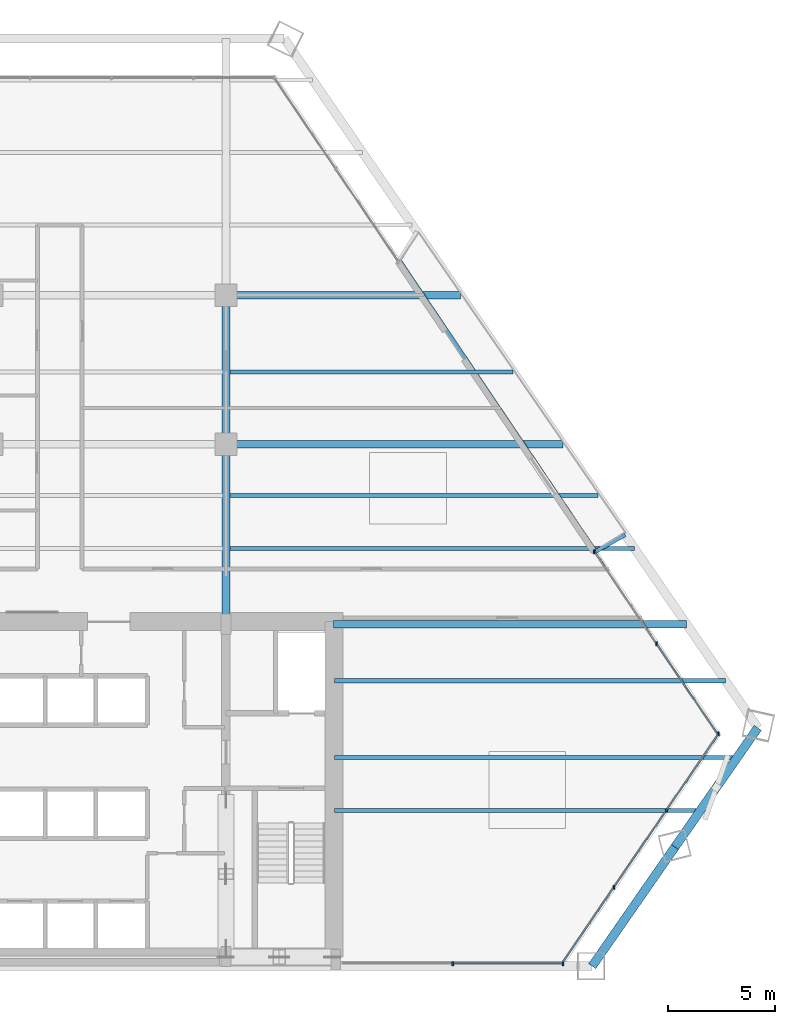
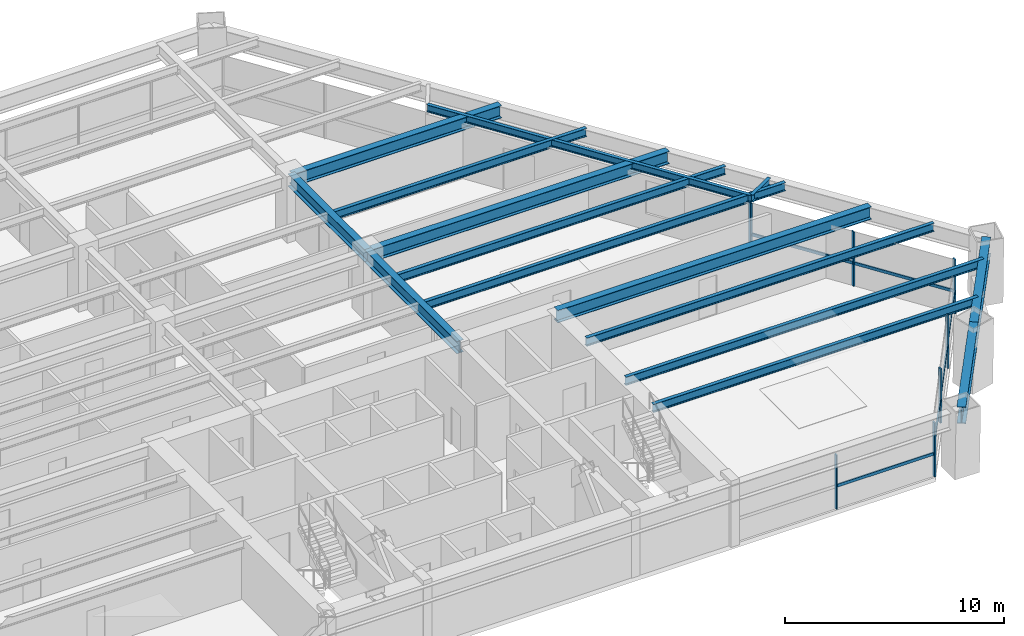
# One storey, part 6 of 14: 15 beams, 14 members, 3 elements without a shape of their own.
"""IFC4 building model written with IfcOpenShell, lengths in metres."""

import ifcopenshell
import ifcopenshell.guid

model = None  # the IFC model being written
_history = None  # IfcOwnerHistory: only IFC2X3 demands one
_inside = {}  # id of a spatial element -> (the spatial element, [elements in it])
_under = {}  # id of a project, library or spatial element -> (it, [spatial elements below it])
_declared = {}  # id of a project -> (the project, [libraries it declares])
_typed = {}  # id of a type object -> (the type object, [elements of that type])
_made_of = {}  # id of a material, layer set ... -> (it, [elements and type objects made of it])


def new_model(schema):
    """Start an empty IFC model of exactly this schema.

    Asked for "IFC4X3", IfcOpenShell would pick the latest addendum, in which some entities
    have other attributes; the version numbers below select the first issue.
    IFC2X3 requires an IfcOwnerHistory on every rooted entity: one is made here for all.
    """
    global model, _history
    if schema == "IFC4X3":
        model = ifcopenshell.file(schema_version=(4, 3, 0, 0))
    else:
        model = ifcopenshell.file(schema=schema)
    _inside.clear()
    _under.clear()
    _declared.clear()
    _typed.clear()
    _made_of.clear()
    _history = None
    if model.schema == "IFC2X3":
        org = make("IfcOrganization", Name="unknown")
        user = make(
            "IfcPersonAndOrganization",
            ThePerson=make("IfcPerson", FamilyName="unknown"),
            TheOrganization=org,
        )
        app = make(
            "IfcApplication",
            ApplicationDeveloper=org,
            Version="unknown",
            ApplicationFullName="unknown",
            ApplicationIdentifier="unknown",
        )
        _history = make(
            "IfcOwnerHistory",
            OwningUser=user,
            OwningApplication=app,
            ChangeAction="ADDED",
            CreationDate=0,
        )
    return model


def make(cls, **values):
    """One entity of the class cls with the attributes given. An attribute that is None is left unset."""
    return model.create_entity(
        cls, **{name: value for name, value in values.items() if value is not None}
    )


def rooted(cls, **values):
    """An entity with a GlobalId (a new one), such as an element, a storey or a relation."""
    return make(cls, GlobalId=ifcopenshell.guid.new(), OwnerHistory=_history, **values)


def si_unit(unit_type, name, prefix=None):
    """IfcSIUnit, for example si_unit("LENGTHUNIT", "METRE", prefix="MILLI")."""
    return make("IfcSIUnit", UnitType=unit_type, Prefix=prefix, Name=name)


def assignment(units):
    """IfcUnitAssignment: the units of a project."""
    return None if units is None else make("IfcUnitAssignment", Units=units)


def point(xyz):
    """IfcCartesianPoint."""
    return None if xyz is None else make("IfcCartesianPoint", Coordinates=xyz)


def direction(xyz):
    """IfcDirection."""
    return None if xyz is None else make("IfcDirection", DirectionRatios=xyz)


def frame(location, z_axis=None, x_axis=None):
    """IfcAxis2Placement3D, a coordinate frame: its origin and axes. An axis left out is left unset."""
    return make(
        "IfcAxis2Placement3D",
        Location=point(location),
        Axis=direction(z_axis),
        RefDirection=direction(x_axis),
    )


def frame_2d(location, x_axis=None):
    """IfcAxis2Placement2D, a coordinate frame in the plane: its origin and x axis."""
    return make(
        "IfcAxis2Placement2D", Location=point(location), RefDirection=direction(x_axis)
    )


def origin():
    """The frame at (0, 0, 0) with its axes left unset."""
    return frame((0.0, 0.0, 0.0))


def origin_2d():
    """The frame at (0, 0) in the plane with its x axis left unset."""
    return frame_2d((0.0, 0.0))


def place(relative_to, where):
    """IfcLocalPlacement: puts the frame where relative to a parent placement (None: the world)."""
    return make(
        "IfcLocalPlacement", PlacementRelTo=relative_to, RelativePlacement=where
    )


def context(
    kind, dimensions, precision=None, world=None, true_north=None, identifier=None
):
    """IfcGeometricRepresentationContext, for example the 3D "Model" context."""
    return make(
        "IfcGeometricRepresentationContext",
        ContextIdentifier=identifier,
        ContextType=kind,
        CoordinateSpaceDimension=dimensions,
        Precision=precision,
        WorldCoordinateSystem=world,
        TrueNorth=true_north,
    )


def subcontext(parent, identifier, kind, view, scale=None):
    """IfcGeometricRepresentationSubContext, for example "Body" below "Model"."""
    return make(
        "IfcGeometricRepresentationSubContext",
        ContextIdentifier=identifier,
        ContextType=kind,
        ParentContext=parent,
        TargetScale=scale,
        TargetView=view,
    )


def project(units=None, contexts=None):
    """IfcProject with its units and contexts."""
    return rooted(
        "IfcProject",
        Name="project",
        RepresentationContexts=contexts,
        UnitsInContext=assignment(units),
    )


def spatial(cls, under=None, at=None, **own):
    """A site, building, storey or space (cls), placed at a placement, below another one or the project."""
    s = rooted(cls, ObjectPlacement=at, **own)
    if under is not None:
        _under.setdefault(under.id(), (under, []))[1].append(s)
    return s


def profile(cls, at=None, kind="AREA", **sizes):
    """A parametric profile (cls). Its sizes go by their IFC names, for example OverallWidth=200.0."""
    return make(cls, ProfileType=kind, Position=at, **sizes)


def rectangle(**sizes):
    """IfcRectangleProfileDef."""
    return profile("IfcRectangleProfileDef", **sizes)


def i_section(**sizes):
    """IfcIShapeProfileDef."""
    return profile("IfcIShapeProfileDef", **sizes)


def extrude(swept, where, along, depth):
    """IfcExtrudedAreaSolid: the profile swept, set in the frame where, extruded along a direction by depth."""
    return make(
        "IfcExtrudedAreaSolid",
        SweptArea=swept,
        Position=where,
        ExtrudedDirection=direction(along),
        Depth=depth,
    )


def shape(context_of_items, identifier, shape_type, items):
    """IfcShapeRepresentation: the items that make up one representation, for example the "Body"."""
    return make(
        "IfcShapeRepresentation",
        ContextOfItems=context_of_items,
        RepresentationIdentifier=identifier,
        RepresentationType=shape_type,
        Items=items,
    )


def source(mapping_origin, context_of_items, identifier, shape_type, items):
    """IfcRepresentationMap: a shape defined once, which mapped items show again and again."""
    return make(
        "IfcRepresentationMap",
        MappingOrigin=mapping_origin,
        MappedRepresentation=shape(context_of_items, identifier, shape_type, items),
    )


def transform(
    local_origin,
    x_axis=None,
    y_axis=None,
    z_axis=None,
    scale=None,
    scale2=None,
    scale3=None,
    uniform=True,
):
    """IfcCartesianTransformationOperator3D, or its non-uniform kind. x_axis, y_axis, z_axis: its Axis1, 2, 3."""
    if uniform:
        return make(
            "IfcCartesianTransformationOperator3D",
            Axis1=direction(x_axis),
            Axis2=direction(y_axis),
            LocalOrigin=point(local_origin),
            Scale=scale,
            Axis3=direction(z_axis),
        )
    return make(
        "IfcCartesianTransformationOperator3DnonUniform",
        Axis1=direction(x_axis),
        Axis2=direction(y_axis),
        LocalOrigin=point(local_origin),
        Scale=scale,
        Axis3=direction(z_axis),
        Scale2=scale2,
        Scale3=scale3,
    )


def mapped(mapping_source, mapping_target):
    """IfcMappedItem: shows the shape of a source again, moved by a transform."""
    return make(
        "IfcMappedItem", MappingSource=mapping_source, MappingTarget=mapping_target
    )


def material(Name=None, Category=None):
    """IfcMaterial."""
    return make("IfcMaterial", Name=Name, Category=Category)


def material_profile(
    of_material, cross_section, Name=None, Category=None, Priority=None
):
    """IfcMaterialProfile: a cross section and its material."""
    return make(
        "IfcMaterialProfile",
        Name=Name,
        Material=of_material,
        Profile=cross_section,
        Priority=Priority,
        Category=Category,
    )


def profile_set(profiles, Name=None, composite=None):
    """IfcMaterialProfileSet."""
    return make(
        "IfcMaterialProfileSet",
        Name=Name,
        MaterialProfiles=profiles,
        CompositeProfile=composite,
    )


def made_of(thing, what):
    """Note that an element or type object is made of a material, layer set ...; save() writes the relation."""
    if what is not None:
        _made_of.setdefault(what.id(), (what, []))[1].append(thing)
    return thing


def type_object(cls, material=None, **own):
    """A type object (cls), such as IfcWallType, which elements share."""
    return made_of(rooted(cls, **own), material)


def type_shapes(of_type, sources):
    """Give a type object the sources (RepresentationMaps) that its elements show as mapped items."""
    of_type.RepresentationMaps = sources


def element(
    cls,
    number,
    at=None,
    inside=None,
    cuts=None,
    type_object=None,
    material=None,
    context=None,
    identifier="Body",
    shape_type=None,
    held_by="IfcProductDefinitionShape",
    body=None,
    shapes=None,
    **own,
):
    """One element of the class cls, such as IfcWall. Its Tag is "e" and its number.

    at: its placement. inside: the storey or other place that contains it. cuts: it is an
    opening in that element (IfcRelVoidsElement). A single representation is given by context,
    identifier, shape_type and body (its items); several are given by shapes. held_by: the class
    of the entity that holds the representations. save() writes the other relations.
    """
    e = rooted(cls, Tag="e%d" % number, ObjectPlacement=at, **own)
    if body is not None:
        shapes = [shape(context, identifier, shape_type, body)]
    if shapes is not None:
        e.Representation = make(held_by, Representations=shapes)
    if inside is not None:
        _inside.setdefault(inside.id(), (inside, []))[1].append(e)
    if cuts is not None:
        rooted(
            "IfcRelVoidsElement", RelatingBuildingElement=cuts, RelatedOpeningElement=e
        )
    if type_object is not None:
        _typed.setdefault(type_object.id(), (type_object, []))[1].append(e)
    return made_of(e, material)


def aggregate(whole, parts):
    """IfcRelAggregates: a whole, such as a stair, and the parts it consists of."""
    return rooted("IfcRelAggregates", RelatingObject=whole, RelatedObjects=parts)


def save(model, path):
    """Write the relations noted so far, then the file.

    IfcRelAggregates (storeys below a building ...), IfcRelContainedInSpatialStructure (elements
    in a storey), IfcRelDefinesByType, IfcRelAssociatesMaterial and IfcRelDeclares: one each for
    every whole, place, type object, material and project.
    """
    for whole, parts in _under.values():
        aggregate(whole, parts)
    for where, things in _inside.values():
        rooted(
            "IfcRelContainedInSpatialStructure",
            RelatedElements=things,
            RelatingStructure=where,
        )
    for kind, things in _typed.values():
        rooted("IfcRelDefinesByType", RelatedObjects=things, RelatingType=kind)
    for what, things in _made_of.values():
        rooted("IfcRelAssociatesMaterial", RelatedObjects=things, RelatingMaterial=what)
    for by, libraries in _declared.values():
        rooted("IfcRelDeclares", RelatingContext=by, RelatedDefinitions=libraries)
    model.write(path)


model = new_model("IFC4")

# Units and contexts
model_context = context("Model", 3, precision=1e-05, world=origin(), true_north=direction((0.0, 1.0)))
body_context = subcontext(model_context, "Body", "Model", "MODEL_VIEW")
ifc_project = project(units=[si_unit("LENGTHUNIT", "METRE"), si_unit("AREAUNIT", "SQUARE_METRE"), si_unit("VOLUMEUNIT", "CUBIC_METRE"), si_unit("PLANEANGLEUNIT", "RADIAN"), si_unit("MASSUNIT", "GRAM", prefix="KILO")], contexts=[model_context])

# Site, building, storey
site_placement = place(None, origin())
site = spatial("IfcSite", under=ifc_project, at=site_placement, CompositionType="ELEMENT")
building_placement = place(site_placement, origin())
building = spatial("IfcBuilding", under=site, at=building_placement, Name="Varnakhor Terracotta Tower", CompositionType="ELEMENT")
storey_placement = place(building_placement, frame((0.0, 0.0, 38.60009765625)))
storey = spatial("IfcBuildingStorey", under=building, at=storey_placement, Name="L08", CompositionType="ELEMENT", Elevation=38.60009765625)

# Beams
ifc_material_1 = material(Name="Steel S355", Category="steel")
ifc_material_profile_1 = material_profile(ifc_material_1, i_section(OverallWidth=0.35498046875, OverallDepth=0.695068359375, WebThickness=0.014892578125, FlangeThickness=0.02490234375, FilletRadius=0.01806640625, at=origin_2d()), Name="W27X146")
ifc_profile_set_1 = profile_set([ifc_material_profile_1], Name="Steel S355")
beam_type_1 = type_object("IfcBeamType", Name="BM-W27X146", PredefinedType="BEAM", material=ifc_profile_set_1)
shared_shape_1 = source(origin(), body_context, "Body", "SweptSolid", [
    extrude(i_section(OverallWidth=0.35498046875, OverallDepth=0.695068359375, WebThickness=0.014892578125, FlangeThickness=0.02490234375, FilletRadius=0.01806640625, at=origin_2d()), origin(), (0.0, 0.0, 1.0), 8.449951171875),
])
type_shapes(beam_type_1, [shared_shape_1])
beam_1_placement = place(storey_placement, frame((5.5, 16.050048828125, 3.102294921875), z_axis=(0.0, 1.0, 0.0), x_axis=(-1.0, 0.0, 0.0)))
element("IfcBeam", 1, at=beam_1_placement, inside=storey, type_object=beam_type_1, Name="L08 Primary Girder NS1-E", PredefinedType="BEAM", context=body_context, shape_type="MappedRepresentation", body=[
    mapped(shared_shape_1, transform((0.0, 0.0, 0.0), scale=1.0)),
])
shared_shape_2 = source(origin(), body_context, "Body", "SweptSolid", [
    extrude(i_section(OverallWidth=0.35498046875, OverallDepth=0.695068359375, WebThickness=0.014892578125, FlangeThickness=0.02490234375, FilletRadius=0.01806640625, at=origin_2d()), origin(), (0.0, 0.0, 1.0), 7.0),
])
beam_2_placement = place(storey_placement, frame((5.5, 24.5, 3.102294921875), z_axis=(0.0, 1.0, 0.0), x_axis=(-1.0, 0.0, 0.0)))
element("IfcBeam", 2, at=beam_2_placement, inside=storey, type_object=beam_type_1, Name="L08 Primary Girder NS2-E", PredefinedType="BEAM", context=body_context, shape_type="MappedRepresentation", body=[
    mapped(shared_shape_2, transform((0.0, 0.0, 0.0), scale=1.0)),
])
ifc_material_profile_2 = material_profile(ifc_material_1, i_section(OverallWidth=0.41796875, OverallDepth=0.927001953125, WebThickness=0.01904296875, FlangeThickness=0.031982421875, FilletRadius=0.01806640625, at=origin_2d()), Name="W36X231")
ifc_profile_set_2 = profile_set([ifc_material_profile_2], Name="Steel S355")
beam_type_2 = type_object("IfcBeamType", Name="BM-W36X231", PredefinedType="BEAM", material=ifc_profile_set_2)
shared_shape_3 = source(origin(), body_context, "Body", "SweptSolid", [
    extrude(i_section(OverallWidth=0.41796875, OverallDepth=0.927001953125, WebThickness=0.01904296875, FlangeThickness=0.031982421875, FilletRadius=0.01806640625, at=origin_2d()), origin(), (0.0, 0.0, 1.0), 6.81201171875),
])
for number, where, z_axis, x_axis, name in (
    (3, (22.69189453125, 0.0, 2.986328125), (0.570642278476, 0.821198751835, 0.0), (-0.821198751835, 0.570642278476, 0.0), "L08 Perimeter Spandrel 2"),
    (4, (26.5791015625, 5.593994140625, 2.986328125), (0.570642278476, 0.821198751835, 0.0), (-0.821198751835, 0.570642278476, 0.0), "L08 Perimeter Spandrel 3"),
):
    element("IfcBeam", number, at=place(storey_placement, frame(where, z_axis=z_axis, x_axis=x_axis)), inside=storey, type_object=beam_type_2, Name=name, PredefinedType="BEAM", context=body_context, shape_type="MappedRepresentation", body=[
        mapped(shared_shape_3, transform((0.0, 0.0, 0.0), scale=1.0)),
    ])
ifc_material_profile_3 = material_profile(ifc_material_1, i_section(OverallWidth=0.179931640625, OverallDepth=0.39990234375, WebThickness=0.008544921875, FlangeThickness=0.013427734375, FilletRadius=0.01806640625, at=origin_2d()), Name="IPE400")
ifc_profile_set_3 = profile_set([ifc_material_profile_3], Name="Steel S355")
beam_type_3 = type_object("IfcBeamType", Name="JST-IPE400", PredefinedType="JOIST", material=ifc_profile_set_3)
shared_shape_4 = source(origin(), body_context, "Body", "SweptSolid", [
    extrude(i_section(OverallWidth=0.179931640625, OverallDepth=0.39990234375, WebThickness=0.008544921875, FlangeThickness=0.013427734375, FilletRadius=0.01806640625, at=origin_2d()), origin(), (0.0, 0.0, 1.0), 16.4970703125),
])
beam_3_placement = place(storey_placement, frame((22.84814453125, 19.460205078125, 3.25), z_axis=(-0.558563601605, 0.829461694692, 0.0), x_axis=(-0.829461694692, -0.558563601605, 0.0)))
element("IfcBeam", 5, at=beam_3_placement, inside=storey, type_object=beam_type_3, Name="L08 Loggia Edge Beam 1", PredefinedType="JOIST", context=body_context, shape_type="MappedRepresentation", body=[
    mapped(shared_shape_4, transform((0.0, 0.0, 0.0), scale=1.0)),
])
shared_shape_5 = source(origin(), body_context, "Body", "SweptSolid", [
    extrude(i_section(OverallWidth=0.35498046875, OverallDepth=0.695068359375, WebThickness=0.014892578125, FlangeThickness=0.02490234375, FilletRadius=0.01806640625, at=origin_2d()), origin(), (0.0, 0.0, 1.0), 16.575927734375),
])
beam_4_placement = place(storey_placement, frame((10.550048828125, 16.050048828125, 3.102294921875), z_axis=(1.0, 0.0, 0.0), x_axis=(0.0, 1.0, 0.0)))
element("IfcBeam", 6, at=beam_4_placement, inside=storey, type_object=beam_type_1, Name="L08 Wing Girder E", PredefinedType="BEAM", context=body_context, shape_type="MappedRepresentation", body=[
    mapped(shared_shape_5, transform((0.0, 0.0, 0.0), scale=1.0)),
])
shared_shape_6 = source(origin(), body_context, "Body", "SweptSolid", [
    extrude(i_section(OverallWidth=0.35498046875, OverallDepth=0.695068359375, WebThickness=0.014892578125, FlangeThickness=0.02490234375, FilletRadius=0.01806640625, at=origin_2d()), origin(), (0.0, 0.0, 1.0), 15.820556640625),
])
beam_5_placement = place(storey_placement, frame((5.5, 24.5, 3.102294921875), z_axis=(1.0, 0.0, 0.0), x_axis=(0.0, 1.0, 0.0)))
element("IfcBeam", 7, at=beam_5_placement, inside=storey, type_object=beam_type_1, Name="L08 Primary Girder EW2-3", PredefinedType="BEAM", context=body_context, shape_type="MappedRepresentation", body=[
    mapped(shared_shape_6, transform((0.0, 0.0, 0.0), scale=1.0)),
])
shared_shape_7 = source(origin(), body_context, "Body", "SweptSolid", [
    extrude(i_section(OverallWidth=0.35498046875, OverallDepth=0.695068359375, WebThickness=0.014892578125, FlangeThickness=0.02490234375, FilletRadius=0.01806640625, at=origin_2d()), origin(), (0.0, 0.0, 1.0), 11.011474609375),
])
beam_6_placement = place(storey_placement, frame((5.5, 31.5, 3.102294921875), z_axis=(1.0, 0.0, 0.0), x_axis=(0.0, 1.0, 0.0)))
element("IfcBeam", 8, at=beam_6_placement, inside=storey, type_object=beam_type_1, Name="L08 Primary Girder EW3-3", PredefinedType="BEAM", context=body_context, shape_type="MappedRepresentation", body=[
    mapped(shared_shape_7, transform((0.0, 0.0, 0.0), scale=1.0)),
])
ifc_material_profile_4 = material_profile(ifc_material_1, i_section(OverallWidth=0.19189453125, OverallDepth=0.462890625, WebThickness=0.010498046875, FlangeThickness=0.017578125, FilletRadius=0.01806640625, at=origin_2d()), Name="W18X60")
ifc_profile_set_4 = profile_set([ifc_material_profile_4], Name="Steel S355")
beam_type_4 = type_object("IfcBeamType", Name="JST-W18X60", PredefinedType="JOIST", material=ifc_profile_set_4)
shared_shape_8 = source(origin(), body_context, "Body", "SweptSolid", [
    extrude(i_section(OverallWidth=0.19189453125, OverallDepth=0.462890625, WebThickness=0.010498046875, FlangeThickness=0.017578125, FilletRadius=0.01806640625, at=origin_2d()), origin(), (0.0, 0.0, 1.0), 17.16455078125),
])
beam_7_placement = place(storey_placement, frame((10.60009765625, 7.300048828125, 3.218505859375), z_axis=(1.0, 0.0, 0.0), x_axis=(0.0, 1.0, 0.0)))
element("IfcBeam", 9, at=beam_7_placement, inside=storey, type_object=beam_type_4, Name="L08 Floor Joist E1", PredefinedType="JOIST", context=body_context, shape_type="MappedRepresentation", body=[
    mapped(shared_shape_8, transform((0.0, 0.0, 0.0), scale=1.0)),
])
shared_shape_9 = source(origin(), body_context, "Body", "SweptSolid", [
    extrude(i_section(OverallWidth=0.19189453125, OverallDepth=0.462890625, WebThickness=0.010498046875, FlangeThickness=0.017578125, FilletRadius=0.01806640625, at=origin_2d()), origin(), (0.0, 0.0, 1.0), 18.901611328125),
])
beam_8_placement = place(storey_placement, frame((10.60009765625, 9.800048828125, 3.218505859375), z_axis=(1.0, 0.0, 0.0), x_axis=(0.0, 1.0, 0.0)))
element("IfcBeam", 10, at=beam_8_placement, inside=storey, type_object=beam_type_4, Name="L08 Floor Joist E2", PredefinedType="JOIST", context=body_context, shape_type="MappedRepresentation", body=[
    mapped(shared_shape_9, transform((0.0, 0.0, 0.0), scale=1.0)),
])
shared_shape_10 = source(origin(), body_context, "Body", "SweptSolid", [
    extrude(i_section(OverallWidth=0.19189453125, OverallDepth=0.462890625, WebThickness=0.010498046875, FlangeThickness=0.017578125, FilletRadius=0.01806640625, at=origin_2d()), origin(), (0.0, 0.0, 1.0), 18.346435546875),
])
beam_9_placement = place(storey_placement, frame((10.60009765625, 13.39990234375, 3.218505859375), z_axis=(1.0, 0.0, 0.0), x_axis=(0.0, 1.0, 0.0)))
element("IfcBeam", 11, at=beam_9_placement, inside=storey, type_object=beam_type_4, Name="L08 Floor Joist E3", PredefinedType="JOIST", context=body_context, shape_type="MappedRepresentation", body=[
    mapped(shared_shape_10, transform((0.0, 0.0, 0.0), scale=1.0)),
])
shared_shape_11 = source(origin(), body_context, "Body", "SweptSolid", [
    extrude(i_section(OverallWidth=0.19189453125, OverallDepth=0.462890625, WebThickness=0.010498046875, FlangeThickness=0.017578125, FilletRadius=0.01806640625, at=origin_2d()), origin(), (0.0, 0.0, 1.0), 19.013427734375),
])
beam_10_placement = place(storey_placement, frame((5.673583984375, 19.60009765625, 3.218505859375), z_axis=(1.0, 0.0, 0.0), x_axis=(0.0, 1.0, 0.0)))
element("IfcBeam", 12, at=beam_10_placement, inside=storey, type_object=beam_type_4, Name="L08 Composite Floor Joist 4-3", PredefinedType="JOIST", context=body_context, shape_type="MappedRepresentation", body=[
    mapped(shared_shape_11, transform((0.0, 0.0, 0.0), scale=1.0)),
])
shared_shape_12 = source(origin(), body_context, "Body", "SweptSolid", [
    extrude(i_section(OverallWidth=0.19189453125, OverallDepth=0.462890625, WebThickness=0.010498046875, FlangeThickness=0.017578125, FilletRadius=0.01806640625, at=origin_2d()), origin(), (0.0, 0.0, 1.0), 17.2958984375),
])
beam_11_placement = place(storey_placement, frame((5.673583984375, 22.10009765625, 3.218505859375), z_axis=(1.0, 0.0, 0.0), x_axis=(0.0, 1.0, 0.0)))
element("IfcBeam", 13, at=beam_11_placement, inside=storey, type_object=beam_type_4, Name="L08 Composite Floor Joist 5-3", PredefinedType="JOIST", context=body_context, shape_type="MappedRepresentation", body=[
    mapped(shared_shape_12, transform((0.0, 0.0, 0.0), scale=1.0)),
])
shared_shape_13 = source(origin(), body_context, "Body", "SweptSolid", [
    extrude(i_section(OverallWidth=0.19189453125, OverallDepth=0.462890625, WebThickness=0.010498046875, FlangeThickness=0.017578125, FilletRadius=0.01806640625, at=origin_2d()), origin(), (0.0, 0.0, 1.0), 13.31103515625),
])
beam_12_placement = place(storey_placement, frame((5.673583984375, 27.89990234375, 3.218505859375), z_axis=(1.0, 0.0, 0.0), x_axis=(0.0, 1.0, 0.0)))
element("IfcBeam", 14, at=beam_12_placement, inside=storey, type_object=beam_type_4, Name="L08 Composite Floor Joist 6-3", PredefinedType="JOIST", context=body_context, shape_type="MappedRepresentation", body=[
    mapped(shared_shape_13, transform((0.0, 0.0, 0.0), scale=1.0)),
])

# Curtain wall, members
ifc_material_2 = material(Name="Anodised Aluminium Curtain Wall System", Category="aluminium")
curtain_wall_type = type_object("IfcCurtainWallType", Name="CW-SYS-LOW-OFFICE", PredefinedType="NOTDEFINED", material=ifc_material_2)
curtain_wall_1_placement = place(storey_placement, origin())
curtain_wall_1 = element("IfcCurtainWall", 15, at=curtain_wall_1_placement, inside=storey, type_object=curtain_wall_type, Name="L08 E Facet Curtain Wall 2", PredefinedType="NOTDEFINED")
ifc_material_3 = material(Name="Anodised Aluminium 6063-T6", Category="aluminium")
ifc_material_profile_5 = material_profile(ifc_material_3, rectangle(XDim=0.074951171875, YDim=0.18505859375, at=origin_2d()), Name="ALU MULLION 75x185")
ifc_profile_set_5 = profile_set([ifc_material_profile_5], Name="Anodised Aluminium 6063-T6")
member_type_1 = type_object("IfcMemberType", Name="CWM-02", PredefinedType="MULLION", material=ifc_profile_set_5)
shared_shape_14 = source(origin(), body_context, "Body", "SweptSolid", [
    extrude(rectangle(XDim=0.074951171875, YDim=0.18505859375, at=origin_2d()), origin(), (0.0, 0.0, 1.0), 3.02978515625),
])
member_1_placement = place(storey_placement, frame((22.806884765625, 19.4462890625, 0.0), z_axis=(0.0, 0.0, 1.0), x_axis=(1.0, 0.0, 0.0)))
member_1 = element("IfcMember", 16, at=member_1_placement, type_object=member_type_1, Name="L08 E Facet Curtain Wall 2 Mullion 1", PredefinedType="MULLION", context=body_context, shape_type="MappedRepresentation", body=[
    mapped(shared_shape_14, transform((0.0, 0.0, 0.0), scale=1.0)),
])
member_2_placement = place(storey_placement, frame((25.71728515625, 15.13818359375, 0.0), z_axis=(0.0, 0.0, 1.0), x_axis=(1.0, 0.0, 0.0)))
member_2 = element("IfcMember", 17, at=member_2_placement, type_object=member_type_1, Name="L08 E Facet Curtain Wall 2 Mullion 2", PredefinedType="MULLION", context=body_context, shape_type="MappedRepresentation", body=[
    mapped(shared_shape_14, transform((0.0, 0.0, 0.0), scale=1.0)),
])
member_3_placement = place(storey_placement, frame((22.7734375, 19.4599609375, 0.0), z_axis=(0.0, 0.0, 1.0), x_axis=(1.0, 0.0, 0.0)))
member_3 = element("IfcMember", 18, at=member_3_placement, type_object=member_type_1, Name="L08 E Loggia Jamb Closure Mullion 2", PredefinedType="MULLION", context=body_context, shape_type="MappedRepresentation", body=[
    mapped(shared_shape_14, transform((0.0, 0.0, 0.0), scale=1.0)),
])

curtain_wall_2_placement = place(storey_placement, origin())
curtain_wall_2 = element("IfcCurtainWall", 19, at=curtain_wall_2_placement, inside=storey, type_object=curtain_wall_type, Name="L08 Facet Curtain Wall 4", PredefinedType="NOTDEFINED")
member_4_placement = place(storey_placement, frame((28.628173828125, 10.915283203125, 0.0), z_axis=(0.0, 0.0, 1.0), x_axis=(1.0, 0.0, 0.0)))
member_4 = element("IfcMember", 20, at=member_4_placement, type_object=member_type_1, Name="L08 Facet Curtain Wall 4 Mullion 1", PredefinedType="MULLION", context=body_context, shape_type="MappedRepresentation", body=[
    mapped(shared_shape_14, transform((0.0, 0.0, 0.0), scale=1.0)),
])
member_5_placement = place(storey_placement, frame((26.16845703125, 7.3076171875, 0.0), z_axis=(0.0, 0.0, 1.0), x_axis=(1.0, 0.0, 0.0)))
member_5 = element("IfcMember", 21, at=member_5_placement, type_object=member_type_1, Name="L08 Facet Curtain Wall 4 Mullion 2", PredefinedType="MULLION", context=body_context, shape_type="MappedRepresentation", body=[
    mapped(shared_shape_14, transform((0.0, 0.0, 0.0), scale=1.0)),
])
member_6_placement = place(storey_placement, frame((23.708984375, 3.699951171875, 0.0), z_axis=(0.0, 0.0, 1.0), x_axis=(1.0, 0.0, 0.0)))
member_6 = element("IfcMember", 22, at=member_6_placement, type_object=member_type_1, Name="L08 Facet Curtain Wall 4 Mullion 3", PredefinedType="MULLION", context=body_context, shape_type="MappedRepresentation", body=[
    mapped(shared_shape_14, transform((0.0, 0.0, 0.0), scale=1.0)),
])

curtain_wall_3_placement = place(storey_placement, origin())
curtain_wall_3 = element("IfcCurtainWall", 23, at=curtain_wall_3_placement, inside=storey, type_object=curtain_wall_type, Name="L08 South Wing Curtain Wall SSE", PredefinedType="NOTDEFINED")
member_7_placement = place(storey_placement, frame((21.321533203125, 0.1201171875, 0.0), z_axis=(0.0, 0.0, 1.0), x_axis=(1.0, 0.0, 0.0)))
member_7 = element("IfcMember", 24, at=member_7_placement, type_object=member_type_1, Name="L08 South Wing Curtain Wall SSE Mullion 1", PredefinedType="MULLION", context=body_context, shape_type="MappedRepresentation", body=[
    mapped(shared_shape_14, transform((0.0, 0.0, 0.0), scale=1.0)),
])
member_8_placement = place(storey_placement, frame((16.145751953125, 0.1201171875, 0.0), z_axis=(0.0, 0.0, 1.0), x_axis=(1.0, 0.0, 0.0)))
member_8 = element("IfcMember", 25, at=member_8_placement, type_object=member_type_1, Name="L08 South Wing Curtain Wall SSE Mullion 2", PredefinedType="MULLION", context=body_context, shape_type="MappedRepresentation", body=[
    mapped(shared_shape_14, transform((0.0, 0.0, 0.0), scale=1.0)),
])

# Member
ifc_material_profile_6 = material_profile(ifc_material_3, rectangle(XDim=0.074951171875, YDim=0.1650390625, at=origin_2d()), Name="ALU TRANSOM 75x165")
ifc_profile_set_6 = profile_set([ifc_material_profile_6], Name="Anodised Aluminium 6063-T6")
member_type_2 = type_object("IfcMemberType", Name="CWT-02", PredefinedType="USERDEFINED", material=ifc_profile_set_6)
shared_shape_15 = source(origin(), body_context, "Body", "SweptSolid", [
    extrude(rectangle(XDim=0.074951171875, YDim=0.1650390625, at=origin_2d()), origin(), (0.0, 0.0, 1.0), 5.19921875),
])
member_9_placement = place(storey_placement, frame((25.71728515625, 15.13818359375, 1.2724609375), z_axis=(0.55982604315, -0.828610162508, 0.0), x_axis=(0.828610162508, 0.55982604315, 0.0)))
member_9 = element("IfcMember", 26, at=member_9_placement, type_object=member_type_2, Name="L08 E Facet Curtain Wall 2 Transom 2", ObjectType="TRANSOM", PredefinedType="USERDEFINED", context=body_context, shape_type="MappedRepresentation", body=[
    mapped(shared_shape_15, transform((0.0, 0.0, 0.0), scale=1.0)),
])

shared_shape_16 = source(origin(), body_context, "Body", "SweptSolid", [
    extrude(rectangle(XDim=0.074951171875, YDim=0.1650390625, at=origin_2d()), origin(), (0.0, 0.0, 1.0), 5.198974609375),
])
member_10_placement = place(storey_placement, frame((22.806884765625, 19.4462890625, 1.2724609375), z_axis=(0.559793801176, -0.828631944934, 0.0), x_axis=(0.828631944934, 0.559793801176, 0.0)))
member_10 = element("IfcMember", 27, at=member_10_placement, type_object=member_type_2, Name="L08 E Facet Curtain Wall 2 Transom 1", ObjectType="TRANSOM", PredefinedType="USERDEFINED", context=body_context, shape_type="MappedRepresentation", body=[
    mapped(shared_shape_16, transform((0.0, 0.0, 0.0), scale=1.0)),
])

aggregate(curtain_wall_1, [member_1, member_10, member_2, member_9, member_3])

shared_shape_17 = source(origin(), body_context, "Body", "SweptSolid", [
    extrude(rectangle(XDim=0.074951171875, YDim=0.1650390625, at=origin_2d()), origin(), (0.0, 0.0, 1.0), 4.366455078125),
])
member_11_placement = place(storey_placement, frame((28.628173828125, 10.915283203125, 1.2724609375), z_axis=(-0.563328149743, -0.826233257444, 0.0), x_axis=(0.826233257444, -0.563328149743, 0.0)))
member_11 = element("IfcMember", 28, at=member_11_placement, type_object=member_type_2, Name="L08 Facet Curtain Wall 4 Transom 1", ObjectType="TRANSOM", PredefinedType="USERDEFINED", context=body_context, shape_type="MappedRepresentation", body=[
    mapped(shared_shape_17, transform((0.0, 0.0, 0.0), scale=1.0)),
])

member_12_placement = place(storey_placement, frame((23.708984375, 3.699951171875, 1.2724609375), z_axis=(-0.563328149743, -0.826233257444, 0.0), x_axis=(0.826233257444, -0.563328149743, 0.0)))
member_12 = element("IfcMember", 29, at=member_12_placement, type_object=member_type_2, Name="L08 Facet Curtain Wall 4 Transom 3", ObjectType="TRANSOM", PredefinedType="USERDEFINED", context=body_context, shape_type="MappedRepresentation", body=[
    mapped(shared_shape_17, transform((0.0, 0.0, 0.0), scale=1.0)),
])

shared_shape_18 = source(origin(), body_context, "Body", "SweptSolid", [
    extrude(rectangle(XDim=0.074951171875, YDim=0.1650390625, at=origin_2d()), origin(), (0.0, 0.0, 1.0), 4.3662109375),
])
member_13_placement = place(storey_placement, frame((26.16845703125, 7.3076171875, 1.2724609375), z_axis=(-0.563289977976, -0.82625928177, 0.0), x_axis=(0.82625928177, -0.563289977976, 0.0)))
member_13 = element("IfcMember", 30, at=member_13_placement, type_object=member_type_2, Name="L08 Facet Curtain Wall 4 Transom 2", ObjectType="TRANSOM", PredefinedType="USERDEFINED", context=body_context, shape_type="MappedRepresentation", body=[
    mapped(shared_shape_18, transform((0.0, 0.0, 0.0), scale=1.0)),
])

aggregate(curtain_wall_2, [member_4, member_11, member_5, member_13, member_6, member_12])

shared_shape_19 = source(origin(), body_context, "Body", "SweptSolid", [
    extrude(rectangle(XDim=0.074951171875, YDim=0.1650390625, at=origin_2d()), origin(), (0.0, 0.0, 1.0), 5.17578125),
])
member_14_placement = place(storey_placement, frame((21.321533203125, 0.1201171875, 1.2724609375), z_axis=(-1.0, 0.0, 0.0), x_axis=(0.0, -1.0, 0.0)))
member_14 = element("IfcMember", 31, at=member_14_placement, type_object=member_type_2, Name="L08 South Wing Curtain Wall SSE Transom 1", ObjectType="TRANSOM", PredefinedType="USERDEFINED", context=body_context, shape_type="MappedRepresentation", body=[
    mapped(shared_shape_19, transform((0.0, 0.0, 0.0), scale=1.0)),
])

aggregate(curtain_wall_3, [member_7, member_14, member_8])

# Beam
shared_shape_20 = source(origin(), body_context, "Body", "SweptSolid", [
    extrude(i_section(OverallWidth=0.179931640625, OverallDepth=0.39990234375, WebThickness=0.008544921875, FlangeThickness=0.013427734375, FilletRadius=0.01806640625, at=origin_2d()), origin(), (0.0, 0.0, 1.0), 1.600830078125),
])
beam_13_placement = place(storey_placement, frame((22.84814453125, 19.460205078125, 3.25), z_axis=(0.870346888058, 0.492439127657, 0.0), x_axis=(-0.492439127657, 0.870346888058, 0.0)))
element("IfcBeam", 32, at=beam_13_placement, inside=storey, type_object=beam_type_3, Name="L09 E Loggia Tie Beam 2", PredefinedType="JOIST", context=body_context, shape_type="MappedRepresentation", body=[
    mapped(shared_shape_20, transform((0.0, 0.0, 0.0), scale=1.0)),
])

save(model, "model.ifc")
